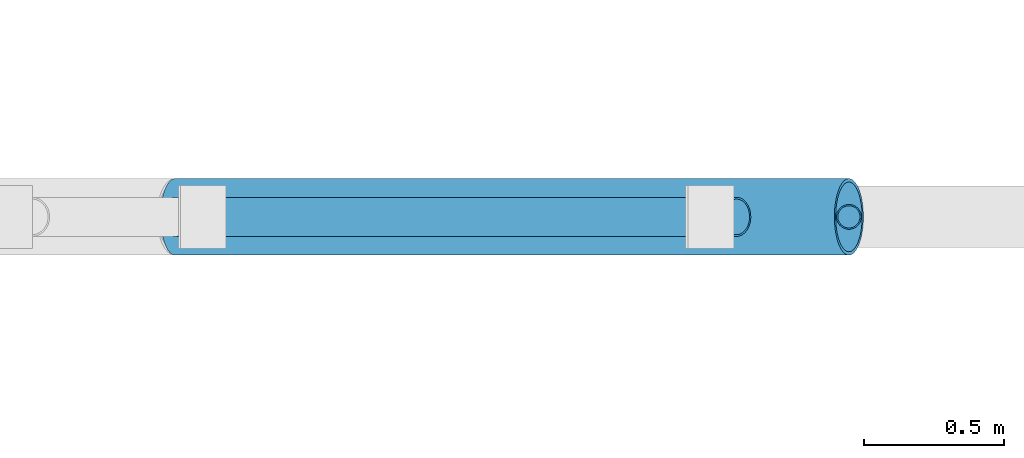
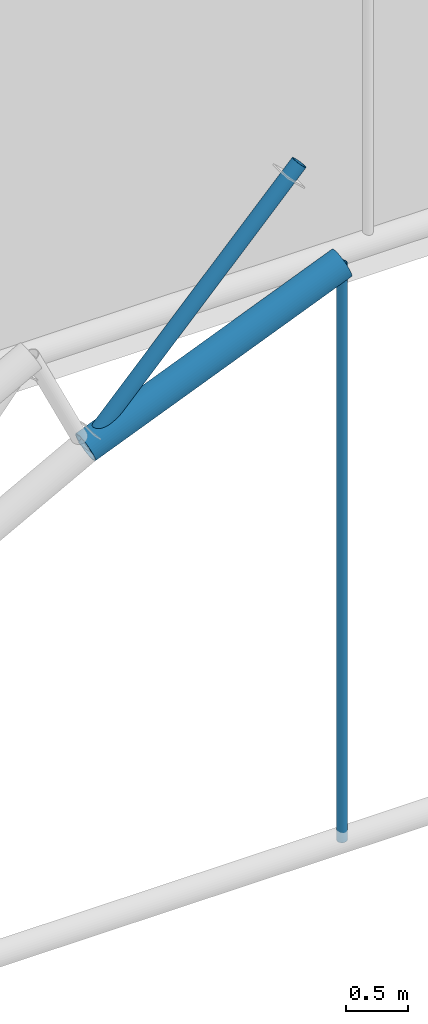
# One storey, part 7 of 101: 3 members.
"""IFC4 building model written with IfcOpenShell, lengths in metres."""

import ifcopenshell
import ifcopenshell.guid

model = None  # the IFC model being written
_history = None  # IfcOwnerHistory: only IFC2X3 demands one
_inside = {}  # id of a spatial element -> (the spatial element, [elements in it])
_under = {}  # id of a project, library or spatial element -> (it, [spatial elements below it])
_declared = {}  # id of a project -> (the project, [libraries it declares])
_typed = {}  # id of a type object -> (the type object, [elements of that type])
_made_of = {}  # id of a material, layer set ... -> (it, [elements and type objects made of it])


def new_model(schema):
    """Start an empty IFC model of exactly this schema.

    Asked for "IFC4X3", IfcOpenShell would pick the latest addendum, in which some entities
    have other attributes; the version numbers below select the first issue.
    IFC2X3 requires an IfcOwnerHistory on every rooted entity: one is made here for all.
    """
    global model, _history
    if schema == "IFC4X3":
        model = ifcopenshell.file(schema_version=(4, 3, 0, 0))
    else:
        model = ifcopenshell.file(schema=schema)
    _inside.clear()
    _under.clear()
    _declared.clear()
    _typed.clear()
    _made_of.clear()
    _history = None
    if model.schema == "IFC2X3":
        org = make("IfcOrganization", Name="unknown")
        user = make(
            "IfcPersonAndOrganization",
            ThePerson=make("IfcPerson", FamilyName="unknown"),
            TheOrganization=org,
        )
        app = make(
            "IfcApplication",
            ApplicationDeveloper=org,
            Version="unknown",
            ApplicationFullName="unknown",
            ApplicationIdentifier="unknown",
        )
        _history = make(
            "IfcOwnerHistory",
            OwningUser=user,
            OwningApplication=app,
            ChangeAction="ADDED",
            CreationDate=0,
        )
    return model


def make(cls, **values):
    """One entity of the class cls with the attributes given. An attribute that is None is left unset."""
    return model.create_entity(
        cls, **{name: value for name, value in values.items() if value is not None}
    )


def rooted(cls, **values):
    """An entity with a GlobalId (a new one), such as an element, a storey or a relation."""
    return make(cls, GlobalId=ifcopenshell.guid.new(), OwnerHistory=_history, **values)


def si_unit(unit_type, name, prefix=None):
    """IfcSIUnit, for example si_unit("LENGTHUNIT", "METRE", prefix="MILLI")."""
    return make("IfcSIUnit", UnitType=unit_type, Prefix=prefix, Name=name)


def assignment(units):
    """IfcUnitAssignment: the units of a project."""
    return None if units is None else make("IfcUnitAssignment", Units=units)


def point(xyz):
    """IfcCartesianPoint."""
    return None if xyz is None else make("IfcCartesianPoint", Coordinates=xyz)


def direction(xyz):
    """IfcDirection."""
    return None if xyz is None else make("IfcDirection", DirectionRatios=xyz)


def frame(location, z_axis=None, x_axis=None):
    """IfcAxis2Placement3D, a coordinate frame: its origin and axes. An axis left out is left unset."""
    return make(
        "IfcAxis2Placement3D",
        Location=point(location),
        Axis=direction(z_axis),
        RefDirection=direction(x_axis),
    )


def frame_2d(location, x_axis=None):
    """IfcAxis2Placement2D, a coordinate frame in the plane: its origin and x axis."""
    return make(
        "IfcAxis2Placement2D", Location=point(location), RefDirection=direction(x_axis)
    )


def origin():
    """The frame at (0, 0, 0) with its axes left unset."""
    return frame((0.0, 0.0, 0.0))


def origin_2d():
    """The frame at (0, 0) in the plane with its x axis left unset."""
    return frame_2d((0.0, 0.0))


def place(relative_to, where):
    """IfcLocalPlacement: puts the frame where relative to a parent placement (None: the world)."""
    return make(
        "IfcLocalPlacement", PlacementRelTo=relative_to, RelativePlacement=where
    )


def context(
    kind, dimensions, precision=None, world=None, true_north=None, identifier=None
):
    """IfcGeometricRepresentationContext, for example the 3D "Model" context."""
    return make(
        "IfcGeometricRepresentationContext",
        ContextIdentifier=identifier,
        ContextType=kind,
        CoordinateSpaceDimension=dimensions,
        Precision=precision,
        WorldCoordinateSystem=world,
        TrueNorth=true_north,
    )


def subcontext(parent, identifier, kind, view, scale=None):
    """IfcGeometricRepresentationSubContext, for example "Body" below "Model"."""
    return make(
        "IfcGeometricRepresentationSubContext",
        ContextIdentifier=identifier,
        ContextType=kind,
        ParentContext=parent,
        TargetScale=scale,
        TargetView=view,
    )


def project(units=None, contexts=None):
    """IfcProject with its units and contexts."""
    return rooted(
        "IfcProject",
        Name="project",
        RepresentationContexts=contexts,
        UnitsInContext=assignment(units),
    )


def spatial(cls, under=None, at=None, **own):
    """A site, building, storey or space (cls), placed at a placement, below another one or the project."""
    s = rooted(cls, ObjectPlacement=at, **own)
    if under is not None:
        _under.setdefault(under.id(), (under, []))[1].append(s)
    return s


def profile(cls, at=None, kind="AREA", **sizes):
    """A parametric profile (cls). Its sizes go by their IFC names, for example OverallWidth=200.0."""
    return make(cls, ProfileType=kind, Position=at, **sizes)


def hollow_circle(**sizes):
    """IfcCircleHollowProfileDef."""
    return profile("IfcCircleHollowProfileDef", **sizes)


def extrude(swept, where, along, depth):
    """IfcExtrudedAreaSolid: the profile swept, set in the frame where, extruded along a direction by depth."""
    return make(
        "IfcExtrudedAreaSolid",
        SweptArea=swept,
        Position=where,
        ExtrudedDirection=direction(along),
        Depth=depth,
    )


def shape(context_of_items, identifier, shape_type, items):
    """IfcShapeRepresentation: the items that make up one representation, for example the "Body"."""
    return make(
        "IfcShapeRepresentation",
        ContextOfItems=context_of_items,
        RepresentationIdentifier=identifier,
        RepresentationType=shape_type,
        Items=items,
    )


def material(Name=None, Category=None):
    """IfcMaterial."""
    return make("IfcMaterial", Name=Name, Category=Category)


def material_profile(
    of_material, cross_section, Name=None, Category=None, Priority=None
):
    """IfcMaterialProfile: a cross section and its material."""
    return make(
        "IfcMaterialProfile",
        Name=Name,
        Material=of_material,
        Profile=cross_section,
        Priority=Priority,
        Category=Category,
    )


def profile_set(profiles, Name=None, composite=None):
    """IfcMaterialProfileSet."""
    return make(
        "IfcMaterialProfileSet",
        Name=Name,
        MaterialProfiles=profiles,
        CompositeProfile=composite,
    )


def made_of(thing, what):
    """Note that an element or type object is made of a material, layer set ...; save() writes the relation."""
    if what is not None:
        _made_of.setdefault(what.id(), (what, []))[1].append(thing)
    return thing


def type_object(cls, material=None, **own):
    """A type object (cls), such as IfcWallType, which elements share."""
    return made_of(rooted(cls, **own), material)


def element(
    cls,
    number,
    at=None,
    inside=None,
    cuts=None,
    type_object=None,
    material=None,
    context=None,
    identifier="Body",
    shape_type=None,
    held_by="IfcProductDefinitionShape",
    body=None,
    shapes=None,
    **own,
):
    """One element of the class cls, such as IfcWall. Its Tag is "e" and its number.

    at: its placement. inside: the storey or other place that contains it. cuts: it is an
    opening in that element (IfcRelVoidsElement). A single representation is given by context,
    identifier, shape_type and body (its items); several are given by shapes. held_by: the class
    of the entity that holds the representations. save() writes the other relations.
    """
    e = rooted(cls, Tag="e%d" % number, ObjectPlacement=at, **own)
    if body is not None:
        shapes = [shape(context, identifier, shape_type, body)]
    if shapes is not None:
        e.Representation = make(held_by, Representations=shapes)
    if inside is not None:
        _inside.setdefault(inside.id(), (inside, []))[1].append(e)
    if cuts is not None:
        rooted(
            "IfcRelVoidsElement", RelatingBuildingElement=cuts, RelatedOpeningElement=e
        )
    if type_object is not None:
        _typed.setdefault(type_object.id(), (type_object, []))[1].append(e)
    return made_of(e, material)


def aggregate(whole, parts):
    """IfcRelAggregates: a whole, such as a stair, and the parts it consists of."""
    return rooted("IfcRelAggregates", RelatingObject=whole, RelatedObjects=parts)


def save(model, path):
    """Write the relations noted so far, then the file.

    IfcRelAggregates (storeys below a building ...), IfcRelContainedInSpatialStructure (elements
    in a storey), IfcRelDefinesByType, IfcRelAssociatesMaterial and IfcRelDeclares: one each for
    every whole, place, type object, material and project.
    """
    for whole, parts in _under.values():
        aggregate(whole, parts)
    for where, things in _inside.values():
        rooted(
            "IfcRelContainedInSpatialStructure",
            RelatedElements=things,
            RelatingStructure=where,
        )
    for kind, things in _typed.values():
        rooted("IfcRelDefinesByType", RelatedObjects=things, RelatingType=kind)
    for what, things in _made_of.values():
        rooted("IfcRelAssociatesMaterial", RelatedObjects=things, RelatingMaterial=what)
    for by, libraries in _declared.values():
        rooted("IfcRelDeclares", RelatingContext=by, RelatedDefinitions=libraries)
    model.write(path)


model = new_model("IFC4")

# Units and contexts
model_context = context("Model", 3, precision=1e-05, world=origin(), true_north=direction((0.0, 1.0)))
body_context = subcontext(model_context, "Body", "Model", "MODEL_VIEW")
ifc_project = project(units=[si_unit("LENGTHUNIT", "METRE"), si_unit("AREAUNIT", "SQUARE_METRE"), si_unit("VOLUMEUNIT", "CUBIC_METRE"), si_unit("PLANEANGLEUNIT", "RADIAN"), si_unit("MASSUNIT", "GRAM", prefix="KILO")], contexts=[model_context])

# Site, building, storey
site_placement = place(None, origin())
site = spatial("IfcSite", under=ifc_project, at=site_placement, CompositionType="ELEMENT")
building_placement = place(site_placement, origin())
building = spatial("IfcBuilding", under=site, at=building_placement, Name="Laocheng Heights Fire and Rescue Headquarters", CompositionType="ELEMENT")
storey_placement = place(building_placement, frame((0.0, 0.0, 8.39990234375)))
storey = spatial("IfcBuildingStorey", under=building, at=storey_placement, Name="L02", CompositionType="ELEMENT", Elevation=8.39990234375)

# Members
ifc_material_1 = material(Name="Steel Q355B", Category="steel")
ifc_material_profile_1 = material_profile(ifc_material_1, hollow_circle(Radius=0.136474609375, WallThickness=0.011962890625, at=origin_2d()), Name="CHS 273x12")
ifc_profile_set_1 = profile_set([ifc_material_profile_1], Name="Steel Q355B")
member_type_1 = type_object("IfcMemberType", Name="BAY ROOF CHORD CHS 273x12", PredefinedType="CHORD", material=ifc_profile_set_1)
member_1_placement = place(storey_placement, frame((24.89990234375, 14.39990234375, 4.72216796875), z_axis=(0.925143196913, 0.0, 0.379618315161), x_axis=(0.0, 1.0, 0.0)))
element("IfcMember", 1, at=member_1_placement, inside=storey, type_object=member_type_1, Name="Truss TR3 lower chord 04", PredefinedType="CHORD", context=body_context, shape_type="SweptSolid", body=[
    extrude(hollow_circle(Radius=0.136474609375, WallThickness=0.011962890625, at=origin_2d()), origin(), (0.0, 0.0, 1.0), 2.59423828125),
])
ifc_material_2 = material(Name="Steel Q355B", Category="steel")
ifc_material_profile_2 = material_profile(ifc_material_2, hollow_circle(Radius=0.06982421875, WallThickness=0.006103515625, at=origin_2d()), Name="CHS 139.7x6")
ifc_profile_set_2 = profile_set([ifc_material_profile_2], Name="Steel Q355B")
member_type_2 = type_object("IfcMemberType", Name="BAY ROOF DIAG CHS 139.7x6", PredefinedType="BRACE", material=ifc_profile_set_2)
member_2_placement = place(storey_placement, frame((24.89990234375, 14.39990234375, 4.72216796875), z_axis=(0.686744141794, 0.0, 0.72689922528), x_axis=(0.0, 1.0, 0.0)))
element("IfcMember", 2, at=member_2_placement, inside=storey, type_object=member_type_2, Name="Truss diagonal TR3-04", PredefinedType="BRACE", context=body_context, shape_type="SweptSolid", body=[
    extrude(hollow_circle(Radius=0.06982421875, WallThickness=0.006103515625, at=origin_2d()), origin(), (0.0, 0.0, 1.0), 2.912353515625),
])
ifc_material_3 = material(Name="Steel Q355B", Category="steel")
ifc_material_profile_3 = material_profile(ifc_material_3, hollow_circle(Radius=0.04443359375, WallThickness=0.0048828125, at=origin_2d()), Name="CHS 88.9x5")
ifc_profile_set_3 = profile_set([ifc_material_profile_3], Name="Steel Q355B")
member_type_3 = type_object("IfcMemberType", Name="BAY ROOF HANGER CHS 88.9x5", PredefinedType="POST", material=ifc_profile_set_3)
member_3_placement = place(storey_placement, frame((27.300048828125, 14.39990234375, 0.0), z_axis=(0.0, 0.0, 1.0), x_axis=(1.0, 0.0, 0.0)))
element("IfcMember", 3, at=member_3_placement, inside=storey, type_object=member_type_3, Name="Truss TR3 hanger 04", PredefinedType="POST", context=body_context, shape_type="SweptSolid", body=[
    extrude(hollow_circle(Radius=0.04443359375, WallThickness=0.0048828125, at=origin_2d()), origin(), (0.0, 0.0, 1.0), 5.70703125),
])

save(model, "model.ifc")
